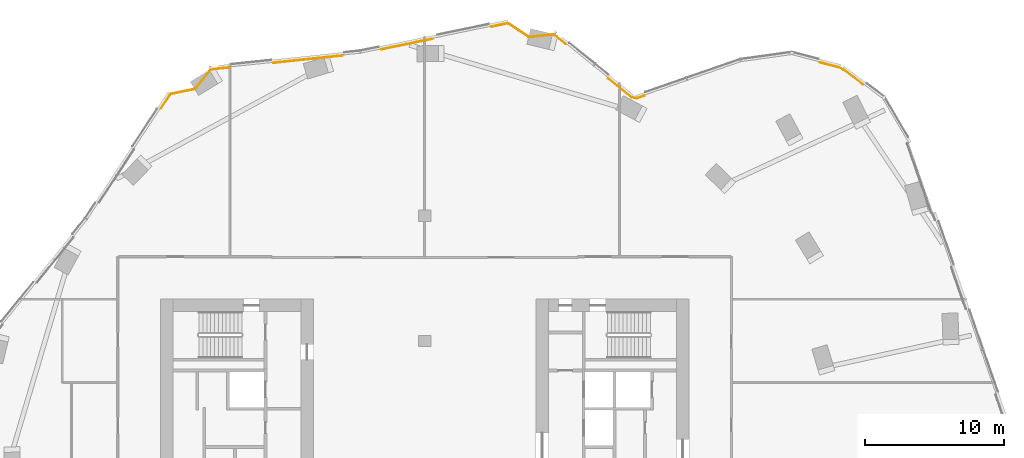
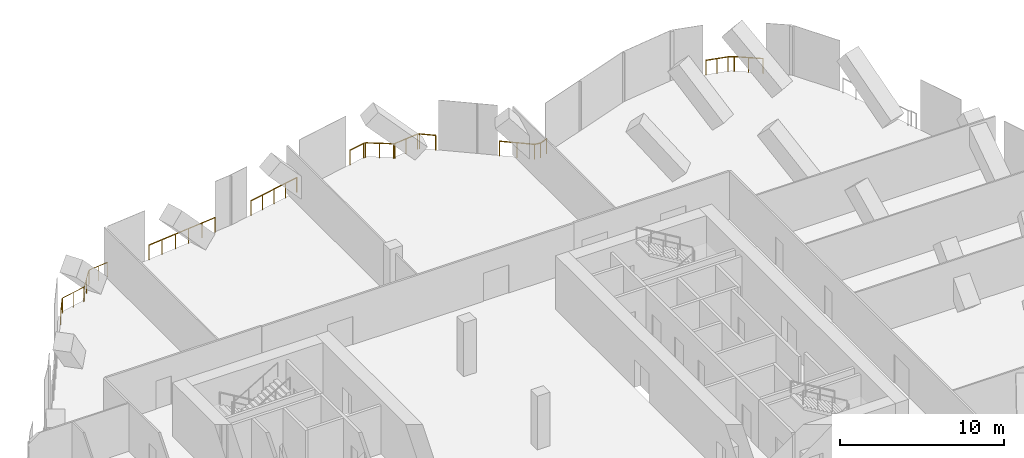
# One storey, part 26 of 26: 6 railings.
"""IFC4 building model written with IfcOpenShell, lengths in metres."""

from ifc_helpers import new_model, si_unit, direction, frame, origin, origin_2d, place, context, subcontext, project, spatial, circle, extrude, material, type_object, element, save


model = new_model("IFC4")

# Units and contexts
model_context = context("Model", 3, precision=1e-05, world=origin(), true_north=direction((0.0, 1.0)))
body_context = subcontext(model_context, "Body", "Model", "MODEL_VIEW")
ifc_project = project(units=[si_unit("LENGTHUNIT", "METRE"), si_unit("AREAUNIT", "SQUARE_METRE"), si_unit("VOLUMEUNIT", "CUBIC_METRE"), si_unit("PLANEANGLEUNIT", "RADIAN"), si_unit("MASSUNIT", "GRAM", prefix="KILO")], contexts=[model_context])

# Site, building, storey
site_placement = place(None, origin())
site = spatial("IfcSite", under=ifc_project, at=site_placement, CompositionType="ELEMENT")
building_placement = place(site_placement, origin())
building = spatial("IfcBuilding", under=site, at=building_placement, Name="Orlundy Tower", CompositionType="ELEMENT")
storey_placement = place(building_placement, frame((0.0, 0.0, 228.0)))
storey = spatial("IfcBuildingStorey", under=building, at=storey_placement, Name="L60", CompositionType="ELEMENT", Elevation=228.0)

# Railings
ifc_material = material(Name="Stainless steel bronze finish", Category="steel")
railing_type = type_object("IfcRailingType", Name="TG1 terrace guard", PredefinedType="GUARDRAIL", material=ifc_material)
railing_1_placement = place(storey_placement, frame((-18.958984375, 25.695068359375, 0.0)))
element("IfcRailing", 1, at=railing_1_placement, inside=storey, type_object=railing_type, Name="Guard TG-L60-E01", PredefinedType="GUARDRAIL", context=body_context, shape_type="SweptSolid", body=[
    extrude(circle(Radius=0.02490234375, at=origin_2d()), frame((0.0, 0.0, 1.09521484375), z_axis=(0.549517400743, 0.835482271673, 0.0), x_axis=(-0.835482271673, 0.549517400743, 0.0)), (0.0, 0.0, 1.0), 1.176513671875),
    extrude(circle(Radius=0.02490234375, at=origin_2d()), frame((0.646484375, 0.98291015625, 1.09521484375), z_axis=(0.815597333854, 0.578619900289, 0.0), x_axis=(-0.578619900289, 0.815597333854, 0.0)), (0.0, 0.0, 1.0), 0.12353515625),
    extrude(circle(Radius=0.02490234375, at=origin_2d()), frame((0.747314453125, 1.054443359375, 1.09521484375), z_axis=(0.979298625484, 0.20242085398, 0.0), x_axis=(-0.20242085398, 0.979298625484, 0.0)), (0.0, 0.0, 1.0), 1.704345703125),
    extrude(circle(Radius=0.02490234375, at=origin_2d()), frame((2.416259765625, 1.3994140625, 1.09521484375), z_axis=(0.854548219927, 0.519372062995, 0.0), x_axis=(-0.519372062995, 0.854548219927, 0.0)), (0.0, 0.0, 1.0), 0.080810546875),
    extrude(circle(Radius=0.02490234375, at=origin_2d()), frame((2.4853515625, 1.44140625, 1.09521484375), z_axis=(0.629346513369, 0.777124807293, 0.0), x_axis=(-0.777124807293, 0.629346513369, 0.0)), (0.0, 0.0, 1.0), 1.704833984375),
    extrude(circle(Radius=0.02490234375, at=origin_2d()), frame((3.558349609375, 2.766357421875, 1.09521484375), z_axis=(0.888412458098, 0.459046080799, 0.0), x_axis=(-0.459046080799, 0.888412458098, 0.0)), (0.0, 0.0, 1.0), 0.123291015625),
    extrude(circle(Radius=0.02490234375, at=origin_2d()), frame((3.66796875, 2.822998046875, 1.09521484375), z_axis=(0.994527296671, 0.104477060529, 0.0), x_axis=(-0.104477060529, 0.994527296671, 0.0)), (0.0, 0.0, 1.0), 1.345947265625),
    extrude(circle(Radius=0.02001953125, at=origin_2d()), origin(), (0.0, 0.0, 1.0), 1.070068359375),
    extrude(circle(Radius=0.02001953125, at=origin_2d()), frame((0.646484375, 0.98291015625, 0.0)), (0.0, 0.0, 1.0), 1.070068359375),
    extrude(circle(Radius=0.02001953125, at=origin_2d()), frame((0.747314453125, 1.054443359375, 0.0)), (0.0, 0.0, 1.0), 1.070068359375),
    extrude(circle(Radius=0.02001953125, at=origin_2d()), frame((1.581787109375, 1.22705078125, 0.0)), (0.0, 0.0, 1.0), 1.070068359375),
    extrude(circle(Radius=0.02001953125, at=origin_2d()), frame((2.416259765625, 1.3994140625, 0.0)), (0.0, 0.0, 1.0), 1.070068359375),
    extrude(circle(Radius=0.02001953125, at=origin_2d()), frame((2.4853515625, 1.44140625, 0.0)), (0.0, 0.0, 1.0), 1.070068359375),
    extrude(circle(Radius=0.02001953125, at=origin_2d()), frame((3.02197265625, 2.10400390625, 0.0)), (0.0, 0.0, 1.0), 1.070068359375),
    extrude(circle(Radius=0.02001953125, at=origin_2d()), frame((3.558349609375, 2.766357421875, 0.0)), (0.0, 0.0, 1.0), 1.070068359375),
    extrude(circle(Radius=0.02001953125, at=origin_2d()), frame((3.66796875, 2.822998046875, 0.0)), (0.0, 0.0, 1.0), 1.070068359375),
    extrude(circle(Radius=0.02001953125, at=origin_2d()), frame((4.33740234375, 2.893310546875, 0.0)), (0.0, 0.0, 1.0), 1.070068359375),
    extrude(circle(Radius=0.02001953125, at=origin_2d()), frame((5.006591796875, 2.963623046875, 0.0)), (0.0, 0.0, 1.0), 1.070068359375),
])
railing_2_placement = place(storey_placement, frame((4.815673828125, 31.586181640625, 0.0)))
element("IfcRailing", 2, at=railing_2_placement, inside=storey, type_object=railing_type, Name="Guard TG-L60-E04", PredefinedType="GUARDRAIL", context=body_context, shape_type="SweptSolid", body=[
    extrude(circle(Radius=0.02490234375, at=origin_2d()), frame((0.0, 0.0, 1.09521484375), z_axis=(0.979297591452, 0.202425856492, 0.0), x_axis=(-0.202425856492, 0.979297591452, 0.0)), (0.0, 0.0, 1.0), 1.122802734375),
    extrude(circle(Radius=0.02490234375, at=origin_2d()), frame((1.099609375, 0.227294921875, 1.09521484375), z_axis=(0.985800302844, -0.167921895274, 0.0), x_axis=(0.167921895274, 0.985800302844, 0.0)), (0.0, 0.0, 1.0), 0.12353515625),
    extrude(circle(Radius=0.02490234375, at=origin_2d()), frame((1.221435546875, 0.20654296875, 1.09521484375), z_axis=(0.835647239082, -0.549266503453, 0.0), x_axis=(0.549266503453, 0.835647239082, 0.0)), (0.0, 0.0, 1.0), 1.7041015625),
    extrude(circle(Radius=0.02490234375, at=origin_2d()), frame((2.6455078125, -0.7294921875, 1.09521484375), z_axis=(0.971723943659, -0.236119836777, 0.0), x_axis=(0.236119836777, 0.971723943659, 0.0)), (0.0, 0.0, 1.0), 0.08056640625),
    extrude(circle(Radius=0.02490234375, at=origin_2d()), frame((2.723876953125, -0.74853515625, 1.09521484375), z_axis=(0.994532889849, 0.104423804796, 0.0), x_axis=(-0.104423804796, 0.994532889849, 0.0)), (0.0, 0.0, 1.0), 1.704345703125),
    extrude(circle(Radius=0.02490234375, at=origin_2d()), frame((4.4189453125, -0.570556640625, 1.09521484375), z_axis=(0.952561729147, -0.304345448732, 0.0), x_axis=(0.304345448732, 0.952561729147, 0.0)), (0.0, 0.0, 1.0), 0.12353515625),
    extrude(circle(Radius=0.02490234375, at=origin_2d()), frame((4.53662109375, -0.608154296875, 1.09521484375), z_axis=(0.777132380952, -0.629337161206, 0.0), x_axis=(0.629337161206, 0.777132380952, 0.0)), (0.0, 0.0, 1.0), 1.010986328125),
    extrude(circle(Radius=0.02001953125, at=origin_2d()), origin(), (0.0, 0.0, 1.0), 1.070068359375),
    extrude(circle(Radius=0.02001953125, at=origin_2d()), frame((1.099609375, 0.227294921875, 0.0)), (0.0, 0.0, 1.0), 1.070068359375),
    extrude(circle(Radius=0.02001953125, at=origin_2d()), frame((1.221435546875, 0.20654296875, 0.0)), (0.0, 0.0, 1.0), 1.070068359375),
    extrude(circle(Radius=0.02001953125, at=origin_2d()), frame((1.93359375, -0.261474609375, 0.0)), (0.0, 0.0, 1.0), 1.070068359375),
    extrude(circle(Radius=0.02001953125, at=origin_2d()), frame((2.6455078125, -0.7294921875, 0.0)), (0.0, 0.0, 1.0), 1.070068359375),
    extrude(circle(Radius=0.02001953125, at=origin_2d()), frame((2.723876953125, -0.74853515625, 0.0)), (0.0, 0.0, 1.0), 1.070068359375),
    extrude(circle(Radius=0.02001953125, at=origin_2d()), frame((3.5712890625, -0.65966796875, 0.0)), (0.0, 0.0, 1.0), 1.070068359375),
    extrude(circle(Radius=0.02001953125, at=origin_2d()), frame((4.4189453125, -0.570556640625, 0.0)), (0.0, 0.0, 1.0), 1.070068359375),
    extrude(circle(Radius=0.02001953125, at=origin_2d()), frame((4.53662109375, -0.608154296875, 0.0)), (0.0, 0.0, 1.0), 1.070068359375),
    extrude(circle(Radius=0.02001953125, at=origin_2d()), frame((5.322265625, -1.244384765625, 0.0)), (0.0, 0.0, 1.0), 1.070068359375),
])
railing_3_placement = place(storey_placement, frame((-10.860107421875, 28.983642578125, 0.0)))
element("IfcRailing", 3, at=railing_3_placement, inside=storey, type_object=railing_type, Name="Guard TG-L60-E08", PredefinedType="GUARDRAIL", context=body_context, shape_type="SweptSolid", body=[
    extrude(circle(Radius=0.02490234375, at=origin_2d()), frame((0.0, 0.0, 1.09521484375), z_axis=(0.994520432799, 0.104542377748, 0.0), x_axis=(-0.104542377748, 0.994520432799, 0.0)), (0.0, 0.0, 1.0), 4.99755859375),
    extrude(circle(Radius=0.02001953125, at=origin_2d()), origin(), (0.0, 0.0, 1.0), 1.070068359375),
    extrude(circle(Radius=0.02001953125, at=origin_2d()), frame((0.994140625, 0.1044921875, 0.0)), (0.0, 0.0, 1.0), 1.070068359375),
    extrude(circle(Radius=0.02001953125, at=origin_2d()), frame((1.988037109375, 0.208984375, 0.0)), (0.0, 0.0, 1.0), 1.070068359375),
    extrude(circle(Radius=0.02001953125, at=origin_2d()), frame((2.982177734375, 0.3134765625, 0.0)), (0.0, 0.0, 1.0), 1.070068359375),
    extrude(circle(Radius=0.02001953125, at=origin_2d()), frame((3.97607421875, 0.41796875, 0.0)), (0.0, 0.0, 1.0), 1.070068359375),
    extrude(circle(Radius=0.02001953125, at=origin_2d()), frame((4.97021484375, 0.5224609375, 0.0)), (0.0, 0.0, 1.0), 1.070068359375),
])
railing_4_placement = place(storey_placement, frame((-3.11181640625, 29.948974609375, 0.0)))
element("IfcRailing", 4, at=railing_4_placement, inside=storey, type_object=railing_type, Name="Guard TG-L60-E013", PredefinedType="GUARDRAIL", context=body_context, shape_type="SweptSolid", body=[
    extrude(circle(Radius=0.02490234375, at=origin_2d()), frame((0.0, 0.0, 1.09521484375), z_axis=(0.979324070811, 0.202297712121, 0.0), x_axis=(-0.202297712121, 0.979324070811, 0.0)), (0.0, 0.0, 1.0), 3.749755859375),
    extrude(circle(Radius=0.02001953125, at=origin_2d()), origin(), (0.0, 0.0, 1.0), 1.070068359375),
    extrude(circle(Radius=0.02001953125, at=origin_2d()), frame((0.91796875, 0.189697265625, 0.0)), (0.0, 0.0, 1.0), 1.070068359375),
    extrude(circle(Radius=0.02001953125, at=origin_2d()), frame((1.8359375, 0.37939453125, 0.0)), (0.0, 0.0, 1.0), 1.070068359375),
    extrude(circle(Radius=0.02001953125, at=origin_2d()), frame((2.754150390625, 0.56884765625, 0.0)), (0.0, 0.0, 1.0), 1.070068359375),
    extrude(circle(Radius=0.02001953125, at=origin_2d()), frame((3.672119140625, 0.758544921875, 0.0)), (0.0, 0.0, 1.0), 1.070068359375),
])
railing_5_placement = place(storey_placement, frame((28.418212890625, 29.009765625, 0.0)))
element("IfcRailing", 5, at=railing_5_placement, inside=storey, type_object=railing_type, Name="Guard TG-L60-E015", PredefinedType="GUARDRAIL", context=body_context, shape_type="SweptSolid", body=[
    extrude(circle(Radius=0.02490234375, at=origin_2d()), frame((0.0, 0.0, 1.09521484375), z_axis=(0.967743317008, -0.251938231292, 0.0), x_axis=(0.251938231292, 0.967743317008, 0.0)), (0.0, 0.0, 1.0), 1.3974609375),
    extrude(circle(Radius=0.02490234375, at=origin_2d()), frame((1.352294921875, -0.35205078125, 1.09521484375), z_axis=(0.899806395228, -0.436289412095, 0.0), x_axis=(0.436289412095, 0.899806395228, 0.0)), (0.0, 0.0, 1.0), 0.376708984375),
    extrude(circle(Radius=0.02490234375, at=origin_2d()), frame((1.691162109375, -0.516357421875, 1.09521484375), z_axis=(0.797775880317, -0.602954098406, 0.0), x_axis=(0.602954098406, 0.797775880317, 0.0)), (0.0, 0.0, 1.0), 1.76953125),
    extrude(circle(Radius=0.02001953125, at=origin_2d()), origin(), (0.0, 0.0, 1.0), 1.070068359375),
    extrude(circle(Radius=0.02001953125, at=origin_2d()), frame((0.67626953125, -0.176025390625, 0.0)), (0.0, 0.0, 1.0), 1.070068359375),
    extrude(circle(Radius=0.02001953125, at=origin_2d()), frame((1.352294921875, -0.35205078125, 0.0)), (0.0, 0.0, 1.0), 1.070068359375),
    extrude(circle(Radius=0.02001953125, at=origin_2d()), frame((1.691162109375, -0.516357421875, 0.0)), (0.0, 0.0, 1.0), 1.070068359375),
    extrude(circle(Radius=0.02001953125, at=origin_2d()), frame((2.39697265625, -1.0498046875, 0.0)), (0.0, 0.0, 1.0), 1.070068359375),
    extrude(circle(Radius=0.02001953125, at=origin_2d()), frame((3.102783203125, -1.583251953125, 0.0)), (0.0, 0.0, 1.0), 1.070068359375),
])
railing_6_placement = place(storey_placement, frame((13.195556640625, 27.865478515625, 0.0)))
element("IfcRailing", 6, at=railing_6_placement, inside=storey, type_object=railing_type, Name="Guard TG-L60-E019", PredefinedType="GUARDRAIL", context=body_context, shape_type="SweptSolid", body=[
    extrude(circle(Radius=0.02490234375, at=origin_2d()), frame((0.0, 0.0, 1.09521484375), z_axis=(0.777137212973, -0.629331194374, 0.0), x_axis=(0.629331194374, 0.777137212973, 0.0)), (0.0, 0.0, 1.0), 2.16552734375),
    extrude(circle(Radius=0.02490234375, at=origin_2d()), frame((1.682861328125, -1.36279296875, 1.09521484375), z_axis=(0.985054474175, -0.172243092485, 0.0), x_axis=(0.172243092485, 0.985054474175, 0.0)), (0.0, 0.0, 1.0), 0.388427734375),
    extrude(circle(Radius=0.02490234375, at=origin_2d()), frame((2.0654296875, -1.4296875, 1.09521484375), z_axis=(0.944525752894, 0.328437364074, 0.0), x_axis=(-0.328437364074, 0.944525752894, 0.0)), (0.0, 0.0, 1.0), 0.568603515625),
    extrude(circle(Radius=0.02001953125, at=origin_2d()), origin(), (0.0, 0.0, 1.0), 1.070068359375),
    extrude(circle(Radius=0.02001953125, at=origin_2d()), frame((0.84130859375, -0.681396484375, 0.0)), (0.0, 0.0, 1.0), 1.070068359375),
    extrude(circle(Radius=0.02001953125, at=origin_2d()), frame((1.682861328125, -1.36279296875, 0.0)), (0.0, 0.0, 1.0), 1.070068359375),
    extrude(circle(Radius=0.02001953125, at=origin_2d()), frame((2.0654296875, -1.4296875, 0.0)), (0.0, 0.0, 1.0), 1.070068359375),
    extrude(circle(Radius=0.02001953125, at=origin_2d()), frame((2.6025390625, -1.242919921875, 0.0)), (0.0, 0.0, 1.0), 1.070068359375),
])

save(model, "model.ifc")
